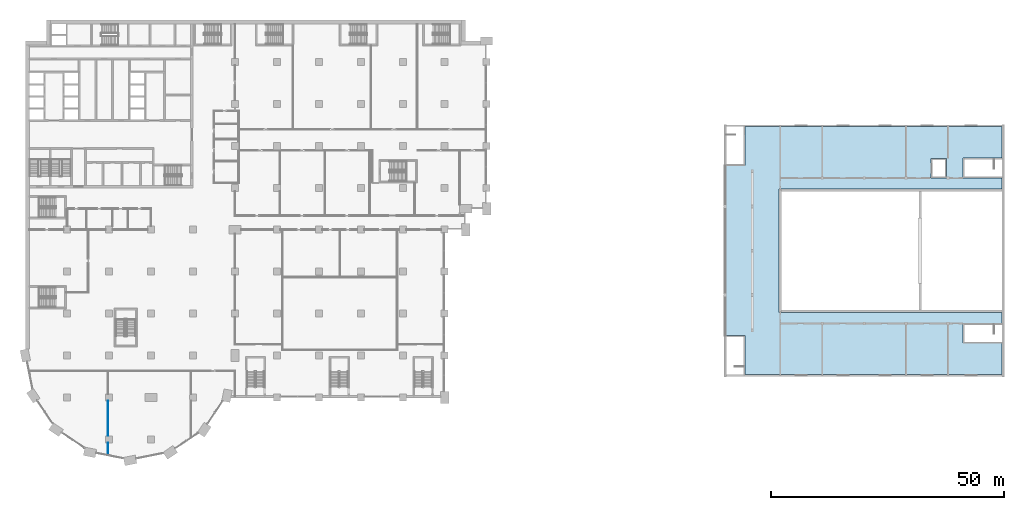
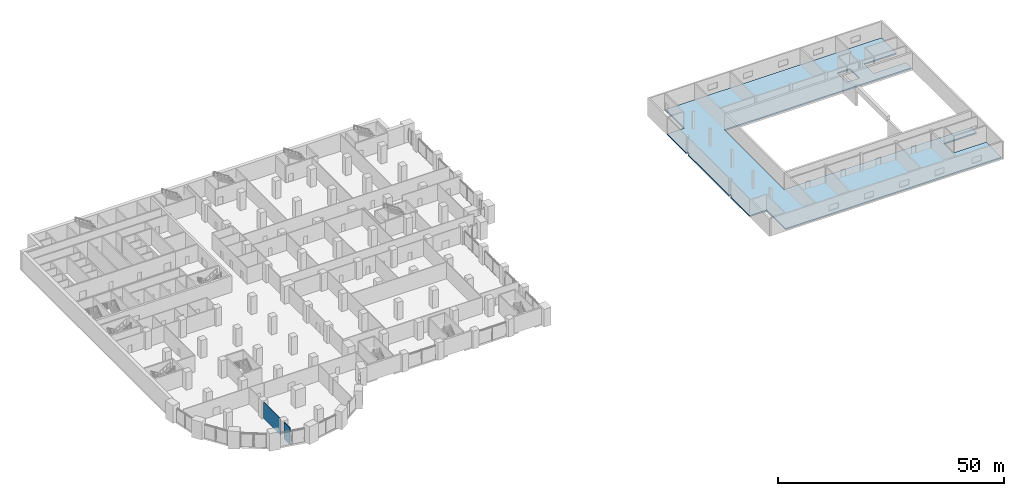
# One storey, part 11 of 31: 2 walls, 1 slab.
"""IFC4 building model written with IfcOpenShell, lengths in metres."""

from ifc_helpers import new_model, si_unit, direction, frame, frame_2d, origin, place, context, subcontext, project, spatial, polyline, rectangle, outline, extrude, material, layer, layer_set, type_object, element, save


model = new_model("IFC4")

# Units and contexts
model_context = context("Model", 3, precision=1e-05, world=origin(), true_north=direction((0.0, 1.0)))
body_context = subcontext(model_context, "Body", "Model", "MODEL_VIEW")
ifc_project = project(units=[si_unit("LENGTHUNIT", "METRE"), si_unit("AREAUNIT", "SQUARE_METRE"), si_unit("VOLUMEUNIT", "CUBIC_METRE"), si_unit("PLANEANGLEUNIT", "RADIAN"), si_unit("MASSUNIT", "GRAM", prefix="KILO")], contexts=[model_context])

# Site, building, storey
site_placement = place(None, origin())
site = spatial("IfcSite", under=ifc_project, at=site_placement, CompositionType="ELEMENT")
building_placement = place(site_placement, origin())
building = spatial("IfcBuilding", under=site, at=building_placement, Name="Hunhe Ridgeline Campus", CompositionType="ELEMENT")
storey_placement = place(building_placement, frame((0.0, 0.0, 16.800048828125)))
storey = spatial("IfcBuildingStorey", under=building, at=storey_placement, Name="L03", CompositionType="ELEMENT", Elevation=16.800048828125)

# Slab
ifc_material_1 = material(Name="Concrete C40", Category="concrete")
ifc_layer_1 = layer(ifc_material_1, 0.35009765625)
ifc_layer_set_1 = layer_set([ifc_layer_1], Name="Hall floor slab 350 C40")
slab_type = type_object("IfcSlabType", Name="Hall floor slab 350 C40", PredefinedType="FLOOR", material=ifc_layer_set_1)
slab_placement = place(storey_placement, frame((0.0, 0.0, -0.35009765625)))
element("IfcSlab", 1, at=slab_placement, inside=storey, type_object=slab_type, Name="Hall L03 floor slab 1", PredefinedType="FLOOR", context=body_context, shape_type="SweptSolid", body=[
    extrude(outline(polyline([(150.39990234375, 31.25), (154.39990234375, 31.25), (154.39990234375, 22.89990234375), (209.60009765625, 22.89990234375), (209.60009765625, 29.64990234375), (201.25, 29.64990234375), (201.25, 33.89990234375), (209.60009765625, 33.89990234375), (209.60009765625, 36.25), (161.75, 36.25), (161.75, 62.75), (209.60009765625, 62.75), (209.60009765625, 65.10009765625), (201.25, 65.10009765625), (201.25, 69.35009765625), (209.60009765625, 69.35009765625), (209.60009765625, 76.10009765625), (154.39990234375, 76.10009765625), (154.39990234375, 67.75), (150.39990234375, 67.75), (150.0, 67.75), (150.0, 59.39990234375), (150.39990234375, 59.39990234375), (150.39990234375, 58.60009765625), (150.0, 58.60009765625), (150.0, 40.39990234375), (150.39990234375, 40.39990234375), (150.39990234375, 39.60009765625), (150.0, 39.60009765625), (150.0, 31.25), (150.39990234375, 31.25)]), holes=[polyline([(194.35009765625, 65.10009765625), (197.64990234375, 65.10009765625), (197.64990234375, 69.25), (194.35009765625, 69.25), (194.35009765625, 65.10009765625)])]), origin(), (0.0, 0.0, 1.0), 0.35009765625),
])

# Walls
ifc_material_2 = material(Name="Plastered blockwork", Category="masonry")
ifc_layer_2 = layer(ifc_material_2, 0.14990234375)
ifc_layer_set_2 = layer_set([ifc_layer_2], Name="Blockwork partition 150")
wall_type = type_object("IfcWallType", Name="Blockwork partition 150", PredefinedType="PARTITIONING", material=ifc_layer_set_2)
wall_1_placement = place(storey_placement, frame((17.762939453125, 5.6279296875, 0.0), z_axis=(0.0, 0.0, 1.0), x_axis=(0.0, 1.0, 0.0)))
element("IfcWall", 2, at=wall_1_placement, inside=storey, type_object=wall_type, Name="L03 partition", PredefinedType="PARTITIONING", context=body_context, shape_type="SweptSolid", body=[
    extrude(rectangle(XDim=2.6220703125, YDim=0.14990234375, at=frame_2d((1.31103515625, 0.0))), origin(), (0.0, 0.0, 1.0), 4.449951171875),
])
wall_2_placement = place(storey_placement, frame((17.762939453125, 9.75, 0.0), z_axis=(0.0, 0.0, 1.0), x_axis=(0.0, 1.0, 0.0)))
element("IfcWall", 3, at=wall_2_placement, inside=storey, type_object=wall_type, Name="L03 partition", PredefinedType="PARTITIONING", context=body_context, shape_type="SweptSolid", body=[
    extrude(rectangle(XDim=7.5, YDim=0.14990234375, at=frame_2d((3.75, 0.0))), origin(), (0.0, 0.0, 1.0), 4.449951171875),
])

save(model, "model.ifc")
